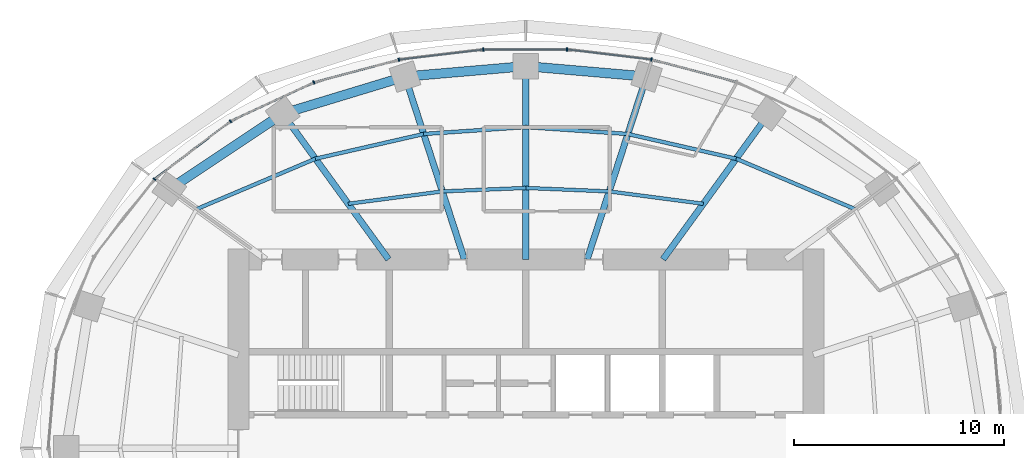
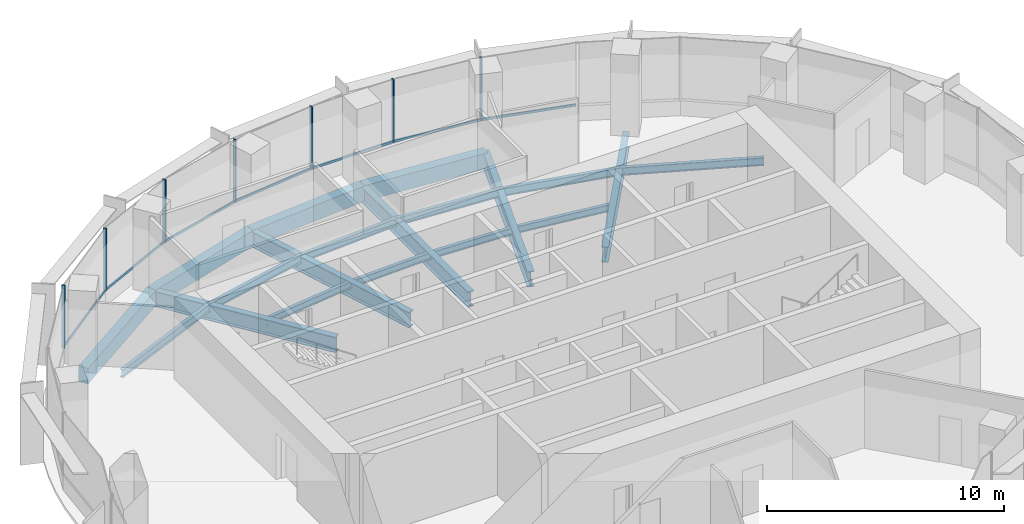
# One storey, part 6 of 13: 19 beams, 14 members, 2 elements without a shape of their own.
"""IFC4 building model written with IfcOpenShell, lengths in metres."""

from ifc_helpers import new_model, si_unit, direction, frame, origin, origin_2d, place, context, subcontext, project, spatial, rectangle, i_section, extrude, material, material_profile, profile_set, type_object, element, aggregate, save


model = new_model("IFC4")

# Units and contexts
model_context = context("Model", 3, precision=1e-05, world=origin(), true_north=direction((0.0, 1.0)))
body_context = subcontext(model_context, "Body", "Model", "MODEL_VIEW")
ifc_project = project(units=[si_unit("LENGTHUNIT", "METRE"), si_unit("AREAUNIT", "SQUARE_METRE"), si_unit("VOLUMEUNIT", "CUBIC_METRE"), si_unit("PLANEANGLEUNIT", "RADIAN"), si_unit("MASSUNIT", "GRAM", prefix="KILO")], contexts=[model_context])

# Site, building, storey
site_placement = place(None, origin())
site = spatial("IfcSite", under=ifc_project, at=site_placement, CompositionType="ELEMENT")
building_placement = place(site_placement, origin())
building = spatial("IfcBuilding", under=site, at=building_placement, Name="Marramba Exchange Tower", CompositionType="ELEMENT")
storey_placement = place(building_placement, frame((0.0, 0.0, 264.39990234375)))
storey = spatial("IfcBuildingStorey", under=building, at=storey_placement, Name="L64", CompositionType="ELEMENT", Elevation=264.39990234375)

# Curtain wall, members
ifc_material_1 = material(Name="Aluminium framing, bronze anodised", Category="aluminium")
curtain_wall_type = type_object("IfcCurtainWallType", Name="Executive floor ribbon curtain wall", PredefinedType="USERDEFINED", material=ifc_material_1)
curtain_wall_1_placement = place(storey_placement, origin())
curtain_wall_1 = element("IfcCurtainWall", 1, at=curtain_wall_1_placement, inside=storey, type_object=curtain_wall_type, Name="Curtain wall CW5 L64 F06-F10", ObjectType="RIBBON CURTAIN WALL", PredefinedType="USERDEFINED")
ifc_material_2 = material(Name="Aluminium mullion, bronze anodised", Category="aluminium")
ifc_material_profile_1 = material_profile(ifc_material_2, rectangle(XDim=0.159912109375, YDim=0.06005859375, at=origin_2d()), Name="CW5 mullion 60x160")
ifc_profile_set_1 = profile_set([ifc_material_profile_1], Name="Aluminium mullion, bronze anodised")
member_type_1 = type_object("IfcMemberType", Name="Executive floor ribbon curtain wall mullion", PredefinedType="MULLION", material=ifc_profile_set_1)
member_1_placement = place(storey_placement, frame((5.98681640625, 18.5205078125, 0.800048828125), z_axis=(0.0, 0.0, 1.0), x_axis=(-0.118556954505, -0.992947253654, 0.0)))
member_1 = element("IfcMember", 2, at=member_1_placement, type_object=member_type_1, Name="CW5 mullion 1", PredefinedType="MULLION", context=body_context, shape_type="SweptSolid", body=[
    extrude(rectangle(XDim=0.159912109375, YDim=0.06005859375, at=origin_2d()), origin(), (0.0, 0.0, 1.0), 3.239990234375),
])
member_2_placement = place(storey_placement, frame((1.966552734375, 18.9970703125, 0.800048828125), z_axis=(0.0, 0.0, 1.0), x_axis=(0.0, -1.0, 0.0)))
member_2 = element("IfcMember", 3, at=member_2_placement, type_object=member_type_1, Name="CW5 mullion 1", PredefinedType="MULLION", context=body_context, shape_type="SweptSolid", body=[
    extrude(rectangle(XDim=0.159912109375, YDim=0.06005859375, at=origin_2d()), origin(), (0.0, 0.0, 1.0), 3.239990234375),
])
member_3_placement = place(storey_placement, frame((-2.0263671875, 18.993408203125, 0.800048828125), z_axis=(0.0, 0.0, 1.0), x_axis=(0.118556954505, -0.992947253654, 0.0)))
member_3 = element("IfcMember", 4, at=member_3_placement, type_object=member_type_1, Name="CW5 mullion 1", PredefinedType="MULLION", context=body_context, shape_type="SweptSolid", body=[
    extrude(rectangle(XDim=0.159912109375, YDim=0.06005859375, at=origin_2d()), origin(), (0.0, 0.0, 1.0), 3.239990234375),
])
member_4_placement = place(storey_placement, frame((-6.045654296875, 18.50927734375, 0.800048828125), z_axis=(0.0, 0.0, 1.0), x_axis=(0.256125574813, -0.966643517501, 0.0)))
member_4 = element("IfcMember", 5, at=member_4_placement, type_object=member_type_1, Name="CW5 mullion 1", PredefinedType="MULLION", context=body_context, shape_type="SweptSolid", body=[
    extrude(rectangle(XDim=0.159912109375, YDim=0.06005859375, at=origin_2d()), origin(), (0.0, 0.0, 1.0), 3.239990234375),
])

curtain_wall_2_placement = place(storey_placement, origin())
curtain_wall_2 = element("IfcCurtainWall", 6, at=curtain_wall_2_placement, inside=storey, type_object=curtain_wall_type, Name="Curtain wall CW5 L64 F11-F15", ObjectType="RIBBON CURTAIN WALL", PredefinedType="USERDEFINED")
member_5_placement = place(storey_placement, frame((-10.097900390625, 17.43017578125, 0.800048828125), z_axis=(0.0, 0.0, 1.0), x_axis=(0.420849274712, -0.90713057934, 0.0)))
member_5 = element("IfcMember", 7, at=member_5_placement, type_object=member_type_1, Name="CW5 mullion 1", PredefinedType="MULLION", context=body_context, shape_type="SweptSolid", body=[
    extrude(rectangle(XDim=0.159912109375, YDim=0.06005859375, at=origin_2d()), origin(), (0.0, 0.0, 1.0), 3.239990234375),
])
member_6_placement = place(storey_placement, frame((-14.069091796875, 15.58056640625, 0.800048828125), z_axis=(0.0, 0.0, 1.0), x_axis=(0.605219156516, -0.796058900199, 0.0)))
member_6 = element("IfcMember", 8, at=member_6_placement, type_object=member_type_1, Name="CW5 mullion 1", PredefinedType="MULLION", context=body_context, shape_type="SweptSolid", body=[
    extrude(rectangle(XDim=0.159912109375, YDim=0.06005859375, at=origin_2d()), origin(), (0.0, 0.0, 1.0), 3.239990234375),
])
member_7_placement = place(storey_placement, frame((-17.69189453125, 12.81689453125, 0.800048828125), z_axis=(0.0, 0.0, 1.0), x_axis=(0.786002861604, -0.618222857512, 0.0)))
member_7 = element("IfcMember", 9, at=member_7_placement, type_object=member_type_1, Name="CW5 mullion 1", PredefinedType="MULLION", context=body_context, shape_type="SweptSolid", body=[
    extrude(rectangle(XDim=0.159912109375, YDim=0.06005859375, at=origin_2d()), origin(), (0.0, 0.0, 1.0), 3.239990234375),
])

# Member
ifc_material_3 = material(Name="Aluminium transom, bronze anodised", Category="aluminium")
ifc_material_profile_2 = material_profile(ifc_material_3, rectangle(XDim=0.06005859375, YDim=0.1201171875, at=origin_2d()), Name="CW5 transom 60x120")
ifc_profile_set_2 = profile_set([ifc_material_profile_2], Name="Aluminium transom, bronze anodised")
member_type_2 = type_object("IfcMemberType", Name="Executive floor ribbon curtain wall transom", PredefinedType="USERDEFINED", material=ifc_profile_set_2)
member_8_placement = place(storey_placement, frame((10.0126953125, 17.458251953125, 0.830078125), z_axis=(-0.966642465832, 0.256129543885, 0.0), x_axis=(-0.256129543885, -0.966642465832, 0.0)))
member_8 = element("IfcMember", 10, at=member_8_placement, type_object=member_type_2, Name="CW5 sill transom", ObjectType="TRANSOM", PredefinedType="USERDEFINED", context=body_context, shape_type="SweptSolid", body=[
    extrude(rectangle(XDim=0.06005859375, YDim=0.1201171875, at=origin_2d()), origin(), (0.0, 0.0, 1.0), 4.134033203125),
])

member_9_placement = place(storey_placement, frame((5.95703125, 18.524169921875, 0.830078125), z_axis=(-0.992946470513, 0.118563513339, 0.0), x_axis=(-0.118563513339, -0.992946470513, 0.0)))
member_9 = element("IfcMember", 11, at=member_9_placement, type_object=member_type_2, Name="CW5 sill transom", ObjectType="TRANSOM", PredefinedType="USERDEFINED", context=body_context, shape_type="SweptSolid", body=[
    extrude(rectangle(XDim=0.06005859375, YDim=0.1201171875, at=origin_2d()), origin(), (0.0, 0.0, 1.0), 3.988525390625),
])

member_10_placement = place(storey_placement, frame((1.936767578125, 18.9970703125, 0.830078125), z_axis=(-1.0, 0.0, 0.0), x_axis=(0.0, -1.0, 0.0)))
member_10 = element("IfcMember", 12, at=member_10_placement, type_object=member_type_2, Name="CW5 sill transom", ObjectType="TRANSOM", PredefinedType="USERDEFINED", context=body_context, shape_type="SweptSolid", body=[
    extrude(rectangle(XDim=0.06005859375, YDim=0.1201171875, at=origin_2d()), origin(), (0.0, 0.0, 1.0), 3.933349609375),
])

member_11_placement = place(storey_placement, frame((-2.05615234375, 18.98974609375, 0.830078125), z_axis=(-0.992953674799, -0.11850316326, 0.0), x_axis=(0.11850316326, -0.992953674799, 0.0)))
member_11 = element("IfcMember", 13, at=member_11_placement, type_object=member_type_2, Name="CW5 sill transom", ObjectType="TRANSOM", PredefinedType="USERDEFINED", context=body_context, shape_type="SweptSolid", body=[
    extrude(rectangle(XDim=0.06005859375, YDim=0.1201171875, at=origin_2d()), origin(), (0.0, 0.0, 1.0), 3.988525390625),
])

member_12_placement = place(storey_placement, frame((-6.074462890625, 18.501708984375, 0.830078125), z_axis=(-0.966642465832, -0.256129543885, 0.0), x_axis=(0.256129543885, -0.966642465832, 0.0)))
member_12 = element("IfcMember", 14, at=member_12_placement, type_object=member_type_2, Name="CW5 sill transom", ObjectType="TRANSOM", PredefinedType="USERDEFINED", context=body_context, shape_type="SweptSolid", body=[
    extrude(rectangle(XDim=0.06005859375, YDim=0.1201171875, at=origin_2d()), origin(), (0.0, 0.0, 1.0), 4.134033203125),
])

aggregate(curtain_wall_1, [member_8, member_1, member_9, member_2, member_10, member_3, member_11, member_4, member_12])

member_13_placement = place(storey_placement, frame((-10.125, 17.41748046875, 0.830078125), z_axis=(-0.907139165053, -0.420830767919, 0.0), x_axis=(0.420830767919, -0.907139165053, 0.0)))
member_13 = element("IfcMember", 15, at=member_13_placement, type_object=member_type_2, Name="CW5 sill transom", ObjectType="TRANSOM", PredefinedType="USERDEFINED", context=body_context, shape_type="SweptSolid", body=[
    extrude(rectangle(XDim=0.06005859375, YDim=0.1201171875, at=origin_2d()), origin(), (0.0, 0.0, 1.0), 4.321533203125),
])

member_14_placement = place(storey_placement, frame((-14.093017578125, 15.5625, 0.830078125), z_axis=(-0.796068041642, -0.605207132374, 0.0), x_axis=(0.605207132374, -0.796068041642, 0.0)))
member_14 = element("IfcMember", 16, at=member_14_placement, type_object=member_type_2, Name="CW5 sill transom", ObjectType="TRANSOM", PredefinedType="USERDEFINED", context=body_context, shape_type="SweptSolid", body=[
    extrude(rectangle(XDim=0.06005859375, YDim=0.1201171875, at=origin_2d()), origin(), (0.0, 0.0, 1.0), 4.49755859375),
])

aggregate(curtain_wall_2, [member_5, member_13, member_6, member_14, member_7])

# Beams
ifc_material_4 = material(Name="Steel AS/NZS 3679.1 grade 300", Category="steel")
ifc_material_profile_3 = material_profile(ifc_material_4, i_section(OverallWidth=0.1708984375, OverallDepth=0.35595703125, WebThickness=0.00732421875, FlangeThickness=0.011474609375, FilletRadius=0.011474609375, at=origin_2d()), Name="360UB50.7")
ifc_profile_set_3 = profile_set([ifc_material_profile_3], Name="Steel AS/NZS 3679.1 grade 300")
beam_type_1 = type_object("IfcBeamType", Name="Floor joist 360UB50.7", PredefinedType="JOIST", material=ifc_profile_set_3)
beam_1_placement = place(storey_placement, frame((8.4619140625, 11.646728515625, -0.337890625), z_axis=(-0.991480538255, 0.130254912618, 0.0), x_axis=(-0.130254912618, -0.991480538255, 0.0)))
element("IfcBeam", 17, at=beam_1_placement, inside=storey, type_object=beam_type_1, Name="Joist L64 bay 04 row 1", PredefinedType="JOIST", context=body_context, shape_type="SweptSolid", body=[
    extrude(i_section(OverallWidth=0.1708984375, OverallDepth=0.35595703125, WebThickness=0.00732421875, FlangeThickness=0.011474609375, FilletRadius=0.011474609375, at=origin_2d()), origin(), (0.0, 0.0, 1.0), 4.524658203125),
])
for number, where, z_axis, x_axis, name in (
    (18, (3.975830078125, 12.236083984375, -0.337890625), (-0.999137002892, 0.041536122257, 0.0), (-0.041536122257, -0.999137002892, 0.0), "Joist L64 bay 05 row 1"),
    (19, (0.0, 12.4013671875, -0.337890625), (-0.999137002892, -0.041536122257, 0.0), (0.041536122257, -0.999137002892, 0.0), "Joist L64 bay 06 row 1"),
):
    element("IfcBeam", number, at=place(storey_placement, frame(where, z_axis=z_axis, x_axis=x_axis)), inside=storey, type_object=beam_type_1, Name=name, PredefinedType="JOIST", context=body_context, shape_type="SweptSolid", body=[
        extrude(i_section(OverallWidth=0.1708984375, OverallDepth=0.35595703125, WebThickness=0.00732421875, FlangeThickness=0.011474609375, FilletRadius=0.011474609375, at=origin_2d()), origin(), (0.0, 0.0, 1.0), 3.979248046875),
    ])
beam_2_placement = place(storey_placement, frame((-3.975830078125, 12.236083984375, -0.337890625), z_axis=(-0.991480538255, -0.130254912618, 0.0), x_axis=(0.130254912618, -0.991480538255, 0.0)))
element("IfcBeam", 20, at=beam_2_placement, inside=storey, type_object=beam_type_1, Name="Joist L64 bay 07 row 1", PredefinedType="JOIST", context=body_context, shape_type="SweptSolid", body=[
    extrude(i_section(OverallWidth=0.1708984375, OverallDepth=0.35595703125, WebThickness=0.00732421875, FlangeThickness=0.011474609375, FilletRadius=0.011474609375, at=origin_2d()), origin(), (0.0, 0.0, 1.0), 4.524658203125),
])
ifc_material_profile_4 = material_profile(ifc_material_4, i_section(OverallWidth=0.177978515625, OverallDepth=0.403076171875, WebThickness=0.007568359375, FlangeThickness=0.010986328125, FilletRadius=0.011474609375, at=origin_2d()), Name="410UB53.7")
ifc_profile_set_4 = profile_set([ifc_material_profile_4], Name="Steel AS/NZS 3679.1 grade 300")
beam_type_2 = type_object("IfcBeamType", Name="Floor joist 410UB53.7", PredefinedType="JOIST", material=ifc_profile_set_4)
beam_3_placement = place(storey_placement, frame((15.682373046875, 11.393798828125, -0.361328125), z_axis=(-0.920674336375, 0.390331610738, 0.0), x_axis=(-0.390331610738, -0.920674336375, 0.0)))
element("IfcBeam", 21, at=beam_3_placement, inside=storey, type_object=beam_type_2, Name="Joist L64 bay 03 row 2", PredefinedType="JOIST", context=body_context, shape_type="SweptSolid", body=[
    extrude(i_section(OverallWidth=0.177978515625, OverallDepth=0.403076171875, WebThickness=0.007568359375, FlangeThickness=0.010986328125, FilletRadius=0.011474609375, at=origin_2d()), origin(), (0.0, 0.0, 1.0), 6.1484375),
])
beam_4_placement = place(storey_placement, frame((10.021728515625, 13.793701171875, -0.361328125), z_axis=(-0.974859652292, 0.222819788916, 0.0), x_axis=(-0.222819788916, -0.974859652292, 0.0)))
element("IfcBeam", 22, at=beam_4_placement, inside=storey, type_object=beam_type_2, Name="Joist L64 bay 04 row 2", PredefinedType="JOIST", context=body_context, shape_type="SweptSolid", body=[
    extrude(i_section(OverallWidth=0.177978515625, OverallDepth=0.403076171875, WebThickness=0.007568359375, FlangeThickness=0.010986328125, FilletRadius=0.011474609375, at=origin_2d()), origin(), (0.0, 0.0, 1.0), 5.2900390625),
])
for number, where, z_axis, x_axis, name in (
    (23, (4.86474609375, 14.972412109375, -0.361328125), (-0.997702652202, 0.067745241816, 0.0), (-0.067745241816, -0.997702652202, 0.0), "Joist L64 bay 05 row 2"),
    (24, (0.0, 15.302734375, -0.361328125), (-0.997702652202, -0.067745241816, 0.0), (0.067745241816, -0.997702652202, 0.0), "Joist L64 bay 06 row 2"),
):
    element("IfcBeam", number, at=place(storey_placement, frame(where, z_axis=z_axis, x_axis=x_axis)), inside=storey, type_object=beam_type_2, Name=name, PredefinedType="JOIST", context=body_context, shape_type="SweptSolid", body=[
        extrude(i_section(OverallWidth=0.177978515625, OverallDepth=0.403076171875, WebThickness=0.007568359375, FlangeThickness=0.010986328125, FilletRadius=0.011474609375, at=origin_2d()), origin(), (0.0, 0.0, 1.0), 4.8759765625),
    ])
beam_5_placement = place(storey_placement, frame((-4.86474609375, 14.972412109375, -0.361328125), z_axis=(-0.974859652292, -0.222819788916, 0.0), x_axis=(0.222819788916, -0.974859652292, 0.0)))
element("IfcBeam", 25, at=beam_5_placement, inside=storey, type_object=beam_type_2, Name="Joist L64 bay 07 row 2", PredefinedType="JOIST", context=body_context, shape_type="SweptSolid", body=[
    extrude(i_section(OverallWidth=0.177978515625, OverallDepth=0.403076171875, WebThickness=0.007568359375, FlangeThickness=0.010986328125, FilletRadius=0.011474609375, at=origin_2d()), origin(), (0.0, 0.0, 1.0), 5.2900390625),
])
beam_6_placement = place(storey_placement, frame((-10.021728515625, 13.793701171875, -0.361328125), z_axis=(-0.920674336375, -0.390331610738, 0.0), x_axis=(0.390331610738, -0.920674336375, 0.0)))
element("IfcBeam", 26, at=beam_6_placement, inside=storey, type_object=beam_type_2, Name="Joist L64 bay 08 row 2", PredefinedType="JOIST", context=body_context, shape_type="SweptSolid", body=[
    extrude(i_section(OverallWidth=0.177978515625, OverallDepth=0.403076171875, WebThickness=0.007568359375, FlangeThickness=0.010986328125, FilletRadius=0.011474609375, at=origin_2d()), origin(), (0.0, 0.0, 1.0), 6.1484375),
])
ifc_material_5 = material(Name="Steel AS/NZS 3679.2 grade 300", Category="steel")
ifc_material_profile_5 = material_profile(ifc_material_5, i_section(OverallWidth=0.300048828125, OverallDepth=0.800048828125, WebThickness=0.013916015625, FlangeThickness=0.031982421875, at=origin_2d()), Name="800WB192")
ifc_profile_set_5 = profile_set([ifc_material_profile_5], Name="Steel AS/NZS 3679.2 grade 300")
beam_type_3 = type_object("IfcBeamType", Name="Radial girder 800WB192", PredefinedType="BEAM", material=ifc_profile_set_5)
beam_7_placement = place(storey_placement, frame((6.538818359375, 9.0, -0.559814453125), z_axis=(0.587782439969, 0.80901903764, 0.0), x_axis=(-0.80901903764, 0.587782439969, 0.0)))
element("IfcBeam", 27, at=beam_7_placement, inside=storey, type_object=beam_type_3, Name="Radial girder L64 TC04", PredefinedType="BEAM", context=body_context, shape_type="SweptSolid", body=[
    extrude(i_section(OverallWidth=0.300048828125, OverallDepth=0.800048828125, WebThickness=0.013916015625, FlangeThickness=0.031982421875, at=origin_2d()), origin(), (0.0, 0.0, 1.0), 8.578857421875),
])
beam_8_placement = place(storey_placement, frame((2.92431640625, 9.0, -0.559814453125), z_axis=(0.309019754162, 0.951055619582, 0.0), x_axis=(-0.951055619582, 0.309019754162, 0.0)))
element("IfcBeam", 28, at=beam_8_placement, inside=storey, type_object=beam_type_3, Name="Radial girder L64 TC05", PredefinedType="BEAM", context=body_context, shape_type="SweptSolid", body=[
    extrude(i_section(OverallWidth=0.300048828125, OverallDepth=0.800048828125, WebThickness=0.013916015625, FlangeThickness=0.031982421875, at=origin_2d()), origin(), (0.0, 0.0, 1.0), 9.15673828125),
])
beam_9_placement = place(storey_placement, frame((0.0, 9.0, -0.559814453125), z_axis=(0.0, 1.0, 0.0), x_axis=(-1.0, 0.0, 0.0)))
element("IfcBeam", 29, at=beam_9_placement, inside=storey, type_object=beam_type_3, Name="Radial girder L64 TC06", PredefinedType="BEAM", context=body_context, shape_type="SweptSolid", body=[
    extrude(i_section(OverallWidth=0.300048828125, OverallDepth=0.800048828125, WebThickness=0.013916015625, FlangeThickness=0.031982421875, at=origin_2d()), origin(), (0.0, 0.0, 1.0), 9.2041015625),
])
beam_10_placement = place(storey_placement, frame((-2.92431640625, 9.0, -0.559814453125), z_axis=(-0.309019754162, 0.951055619582, 0.0), x_axis=(-0.951055619582, -0.309019754162, 0.0)))
element("IfcBeam", 30, at=beam_10_placement, inside=storey, type_object=beam_type_3, Name="Radial girder L64 TC07", PredefinedType="BEAM", context=body_context, shape_type="SweptSolid", body=[
    extrude(i_section(OverallWidth=0.300048828125, OverallDepth=0.800048828125, WebThickness=0.013916015625, FlangeThickness=0.031982421875, at=origin_2d()), origin(), (0.0, 0.0, 1.0), 9.15673828125),
])
beam_11_placement = place(storey_placement, frame((-6.538818359375, 9.0, -0.559814453125), z_axis=(-0.587782439969, 0.80901903764, 0.0), x_axis=(-0.80901903764, -0.587782439969, 0.0)))
element("IfcBeam", 31, at=beam_11_placement, inside=storey, type_object=beam_type_3, Name="Radial girder L64 TC08", PredefinedType="BEAM", context=body_context, shape_type="SweptSolid", body=[
    extrude(i_section(OverallWidth=0.300048828125, OverallDepth=0.800048828125, WebThickness=0.013916015625, FlangeThickness=0.031982421875, at=origin_2d()), origin(), (0.0, 0.0, 1.0), 8.578857421875),
])
ifc_material_6 = material(Name="Concrete N50", Category="concrete")
ifc_material_profile_6 = material_profile(ifc_material_6, rectangle(XDim=0.449951171875, YDim=0.800048828125, at=origin_2d()), Name="RC 450x800")
ifc_profile_set_6 = profile_set([ifc_material_profile_6], Name="Concrete N50")
beam_type_4 = type_object("IfcBeamType", Name="Ring beam RC 450x800 N50", PredefinedType="SPANDREL", material=ifc_profile_set_6)
for number, where, z_axis, x_axis, name in (
    (32, (5.75390625, 17.70849609375, -0.559814453125), (-0.996311003275, 0.085815993578, 0.0), (-0.085815993578, -0.996311003275, 0.0), "Ring beam L64 TC05-TC06"),
    (33, (0.0, 18.2041015625, -0.559814453125), (-0.996311003275, -0.085815993578, 0.0), (0.085815993578, -0.996311003275, 0.0), "Ring beam L64 TC06-TC07"),
):
    element("IfcBeam", number, at=place(storey_placement, frame(where, z_axis=z_axis, x_axis=x_axis)), inside=storey, type_object=beam_type_4, Name=name, PredefinedType="SPANDREL", context=body_context, shape_type="SweptSolid", body=[
        extrude(rectangle(XDim=0.449951171875, YDim=0.800048828125, at=origin_2d()), origin(), (0.0, 0.0, 1.0), 5.775146484375),
    ])
beam_12_placement = place(storey_placement, frame((-5.75390625, 17.70849609375, -0.559814453125), z_axis=(-0.956924542524, -0.290336735387, 0.0), x_axis=(0.290336735387, -0.956924542524, 0.0)))
element("IfcBeam", 34, at=beam_12_placement, inside=storey, type_object=beam_type_4, Name="Ring beam L64 TC07-TC08", PredefinedType="SPANDREL", context=body_context, shape_type="SweptSolid", body=[
    extrude(rectangle(XDim=0.449951171875, YDim=0.800048828125, at=origin_2d()), origin(), (0.0, 0.0, 1.0), 6.089599609375),
])
beam_13_placement = place(storey_placement, frame((-11.581298828125, 15.9404296875, -0.559814453125), z_axis=(-0.832293151443, -0.554335737673, 0.0), x_axis=(0.554335737673, -0.832293151443, 0.0)))
element("IfcBeam", 35, at=beam_13_placement, inside=storey, type_object=beam_type_4, Name="Ring beam L64 TC08-TC09", PredefinedType="SPANDREL", context=body_context, shape_type="SweptSolid", body=[
    extrude(rectangle(XDim=0.449951171875, YDim=0.800048828125, at=origin_2d()), origin(), (0.0, 0.0, 1.0), 6.49365234375),
])

save(model, "model.ifc")
